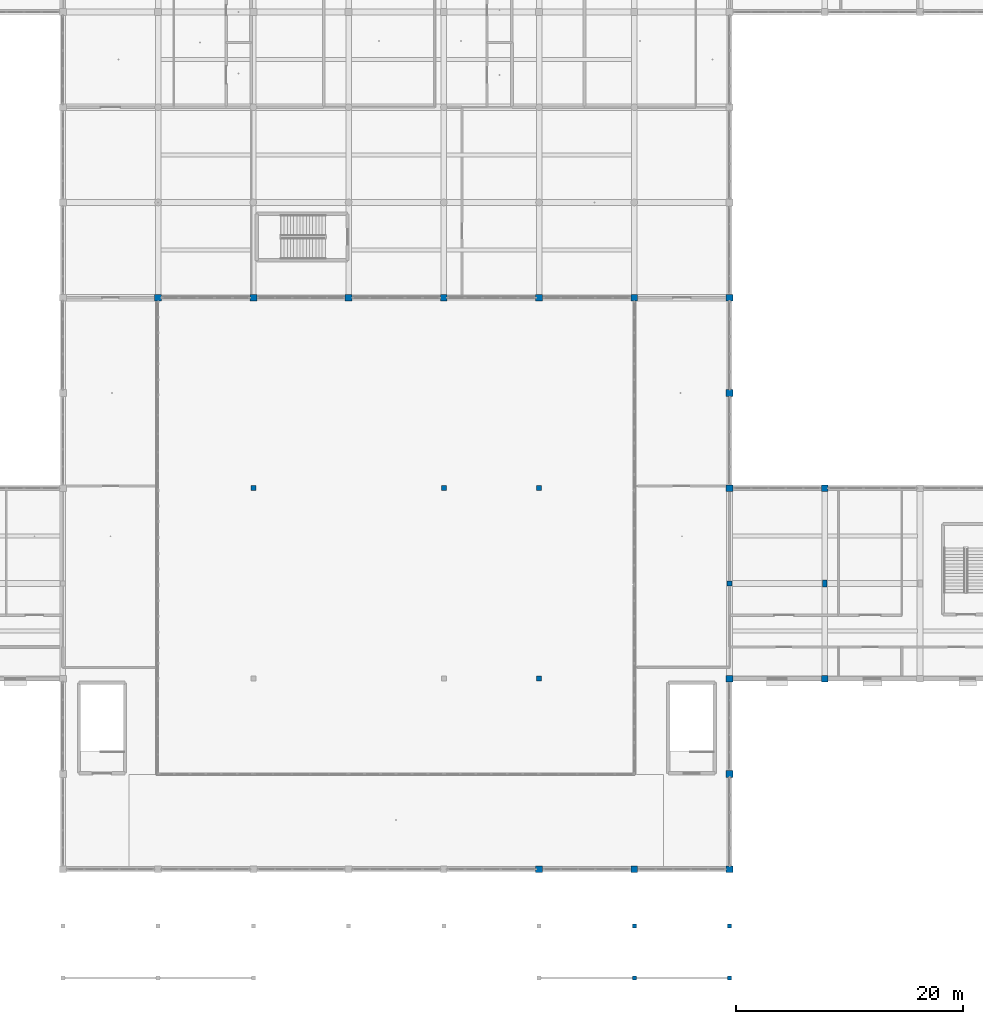
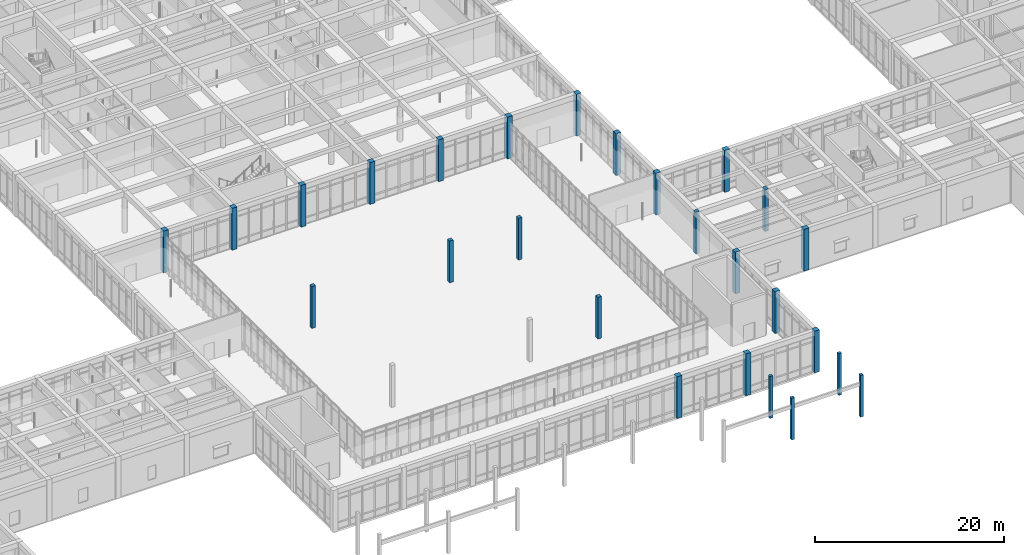
# One storey, part 2 of 157: 26 columns.
"""IFC4 building model written with IfcOpenShell, lengths in metres."""

from ifc_helpers import new_model, si_unit, direction, frame, origin, origin_2d, place, context, subcontext, project, spatial, rectangle, extrude, material, material_profile, profile_set, type_object, element, save


model = new_model("IFC4")

# Units and contexts
model_context = context("Model", 3, precision=1e-05, world=origin(), true_north=direction((0.0, 1.0)))
body_context = subcontext(model_context, "Body", "Model", "MODEL_VIEW")
ifc_project = project(units=[si_unit("LENGTHUNIT", "METRE"), si_unit("AREAUNIT", "SQUARE_METRE"), si_unit("VOLUMEUNIT", "CUBIC_METRE"), si_unit("PLANEANGLEUNIT", "RADIAN"), si_unit("MASSUNIT", "GRAM", prefix="KILO")], contexts=[model_context])

# Site, building, storey
site_placement = place(None, origin())
site = spatial("IfcSite", under=ifc_project, at=site_placement, CompositionType="ELEMENT")
building_placement = place(site_placement, origin())
building = spatial("IfcBuilding", under=site, at=building_placement, Name="Varncliffe General Hospital", CompositionType="ELEMENT")
storey_placement = place(building_placement, frame((0.0, 0.0, 5.39990234375)))
storey = spatial("IfcBuildingStorey", under=building, at=storey_placement, Name="L01", CompositionType="ELEMENT", Elevation=5.39990234375)

# Columns
ifc_material_1 = material(Name="Glulam GL28h (CSA O86 24f-EX, 30 MPa)", Category="wood")
ifc_material_profile_1 = material_profile(ifc_material_1, rectangle(XDim=0.35009765625, YDim=0.35009765625, at=origin_2d()), Name="GL 350x350")
ifc_profile_set_1 = profile_set([ifc_material_profile_1], Name="Glulam GL28h (CSA O86 24f-EX, 30 MPa)")
column_type_1 = type_object("IfcColumnType", Name="Column C12 (Ext GL 350x350)", PredefinedType="COLUMN", material=ifc_profile_set_1)
for number, where, z_axis, x_axis, name in (
    (1, (109.199951171875, -2.39990234375, 0.0), (0.0, 0.0, 1.0), (1.0, 0.0, 0.0), "L01 Column C12"),
    (2, (109.199951171875, 2.199951171875, 0.0), (0.0, 0.0, 1.0), (1.0, 0.0, 0.0), "L01 Column C12"),
    (3, (117.60009765625, -2.39990234375, 0.0), (0.0, 0.0, 1.0), (1.0, 0.0, 0.0), "L01 Column C12"),
    (4, (117.60009765625, 2.199951171875, 0.0), (0.0, 0.0, 1.0), (1.0, 0.0, 0.0), "L01 Column C12"),
):
    element("IfcColumn", number, at=place(storey_placement, frame(where, z_axis=z_axis, x_axis=x_axis)), inside=storey, type_object=column_type_1, Name=name, PredefinedType="COLUMN", context=body_context, shape_type="SweptSolid", body=[
        extrude(rectangle(XDim=0.35009765625, YDim=0.35009765625, at=origin_2d()), origin(), (0.0, 0.0, 1.0), 5.400146484375),
    ])
ifc_material_2 = material(Name="Concrete C40/50 (CSA A23.1 40 MPa)", Category="concrete")
ifc_material_profile_2 = material_profile(ifc_material_2, rectangle(XDim=0.60009765625, YDim=0.60009765625, at=origin_2d()), Name="RC 600x600")
ifc_profile_set_2 = profile_set([ifc_material_profile_2], Name="Concrete C40/50 (CSA A23.1 40 MPa)")
column_type_2 = type_object("IfcColumnType", Name="Column C27 (Ext RC 600x600)", PredefinedType="COLUMN", material=ifc_profile_set_2)
for number, where, z_axis, x_axis, name in (
    (5, (67.199951171875, 57.60009765625, 0.0), (0.0, 0.0, 1.0), (1.0, 0.0, 0.0), "L01 Column C27"),
    (6, (75.60009765625, 57.60009765625, 0.0), (0.0, 0.0, 1.0), (1.0, 0.0, 0.0), "L01 Column C27"),
    (7, (84.0, 57.60009765625, 0.0), (0.0, 0.0, 1.0), (1.0, 0.0, 0.0), "L01 Column C27"),
    (8, (92.39990234375, 57.60009765625, 0.0), (0.0, 0.0, 1.0), (1.0, 0.0, 0.0), "L01 Column C27"),
    (9, (100.800048828125, 7.199951171875, 0.0), (0.0, 0.0, 1.0), (1.0, 0.0, 0.0), "L01 Column C27"),
    (10, (100.800048828125, 57.60009765625, 0.0), (0.0, 0.0, 1.0), (1.0, 0.0, 0.0), "L01 Column C27"),
    (11, (109.199951171875, 7.199951171875, 0.0), (0.0, 0.0, 1.0), (1.0, 0.0, 0.0), "L01 Column C27"),
    (12, (109.199951171875, 57.60009765625, 0.0), (0.0, 0.0, 1.0), (1.0, 0.0, 0.0), "L01 Column C27"),
    (13, (117.60009765625, 7.199951171875, 0.0), (0.0, 0.0, 1.0), (1.0, 0.0, 0.0), "L01 Column C27"),
    (14, (117.60009765625, 15.60009765625, 0.0), (0.0, 0.0, 1.0), (1.0, 0.0, 0.0), "L01 Column C27"),
    (15, (117.60009765625, 24.0, 0.0), (0.0, 0.0, 1.0), (1.0, 0.0, 0.0), "L01 Column C27"),
    (16, (117.60009765625, 40.800048828125, 0.0), (0.0, 0.0, 1.0), (1.0, 0.0, 0.0), "L01 Column C27"),
    (17, (117.60009765625, 49.199951171875, 0.0), (0.0, 0.0, 1.0), (1.0, 0.0, 0.0), "L01 Column C27"),
    (18, (117.60009765625, 57.60009765625, 0.0), (0.0, 0.0, 1.0), (1.0, 0.0, 0.0), "L01 Column C27"),
    (19, (126.0, 24.0, 0.0), (0.0, 0.0, 1.0), (1.0, 0.0, 0.0), "L01 Column C27"),
    (20, (126.0, 40.800048828125, 0.0), (0.0, 0.0, 1.0), (1.0, 0.0, 0.0), "L01 Column C27"),
):
    element("IfcColumn", number, at=place(storey_placement, frame(where, z_axis=z_axis, x_axis=x_axis)), inside=storey, type_object=column_type_2, Name=name, PredefinedType="COLUMN", context=body_context, shape_type="SweptSolid", body=[
        extrude(rectangle(XDim=0.60009765625, YDim=0.60009765625, at=origin_2d()), origin(), (0.0, 0.0, 1.0), 5.400146484375),
    ])
ifc_material_profile_3 = material_profile(ifc_material_1, rectangle(XDim=0.449951171875, YDim=0.449951171875, at=origin_2d()), Name="GL 450x450")
ifc_profile_set_3 = profile_set([ifc_material_profile_3], Name="Glulam GL28h (CSA O86 24f-EX, 30 MPa)")
column_type_3 = type_object("IfcColumnType", Name="Column C36 (Int GL 450x450)", PredefinedType="COLUMN", material=ifc_profile_set_3)
for number, where, z_axis, x_axis, name in (
    (21, (75.60009765625, 40.800048828125, 0.0), (0.0, 0.0, 1.0), (1.0, 0.0, 0.0), "L01 Column C36"),
    (22, (92.39990234375, 40.800048828125, 0.0), (0.0, 0.0, 1.0), (1.0, 0.0, 0.0), "L01 Column C36"),
    (23, (100.800048828125, 24.0, 0.0), (0.0, 0.0, 1.0), (1.0, 0.0, 0.0), "L01 Column C36"),
    (24, (100.800048828125, 40.800048828125, 0.0), (0.0, 0.0, 1.0), (1.0, 0.0, 0.0), "L01 Column C36"),
    (25, (117.60009765625, 32.39990234375, 0.0), (0.0, 0.0, 1.0), (1.0, 0.0, 0.0), "L01 Column C36"),
):
    element("IfcColumn", number, at=place(storey_placement, frame(where, z_axis=z_axis, x_axis=x_axis)), inside=storey, type_object=column_type_3, Name=name, PredefinedType="COLUMN", context=body_context, shape_type="SweptSolid", body=[
        extrude(rectangle(XDim=0.449951171875, YDim=0.449951171875, at=origin_2d()), origin(), (0.0, 0.0, 1.0), 5.400146484375),
    ])
ifc_material_profile_4 = material_profile(ifc_material_2, rectangle(XDim=0.39990234375, YDim=0.60009765625, at=origin_2d()), Name="RC 400x600")
ifc_profile_set_4 = profile_set([ifc_material_profile_4], Name="Concrete C40/50 (CSA A23.1 40 MPa)")
column_type_4 = type_object("IfcColumnType", Name="Column C58 (Int RC 400x600)", PredefinedType="COLUMN", material=ifc_profile_set_4)
column_placement = place(storey_placement, frame((126.0, 32.39990234375, 0.0), z_axis=(0.0, 0.0, 1.0), x_axis=(1.0, 0.0, 0.0)))
element("IfcColumn", 26, at=column_placement, inside=storey, type_object=column_type_4, Name="L01 Column C58", PredefinedType="COLUMN", context=body_context, shape_type="SweptSolid", body=[
    extrude(rectangle(XDim=0.39990234375, YDim=0.60009765625, at=origin_2d()), origin(), (0.0, 0.0, 1.0), 5.400146484375),
])

save(model, "model.ifc")
